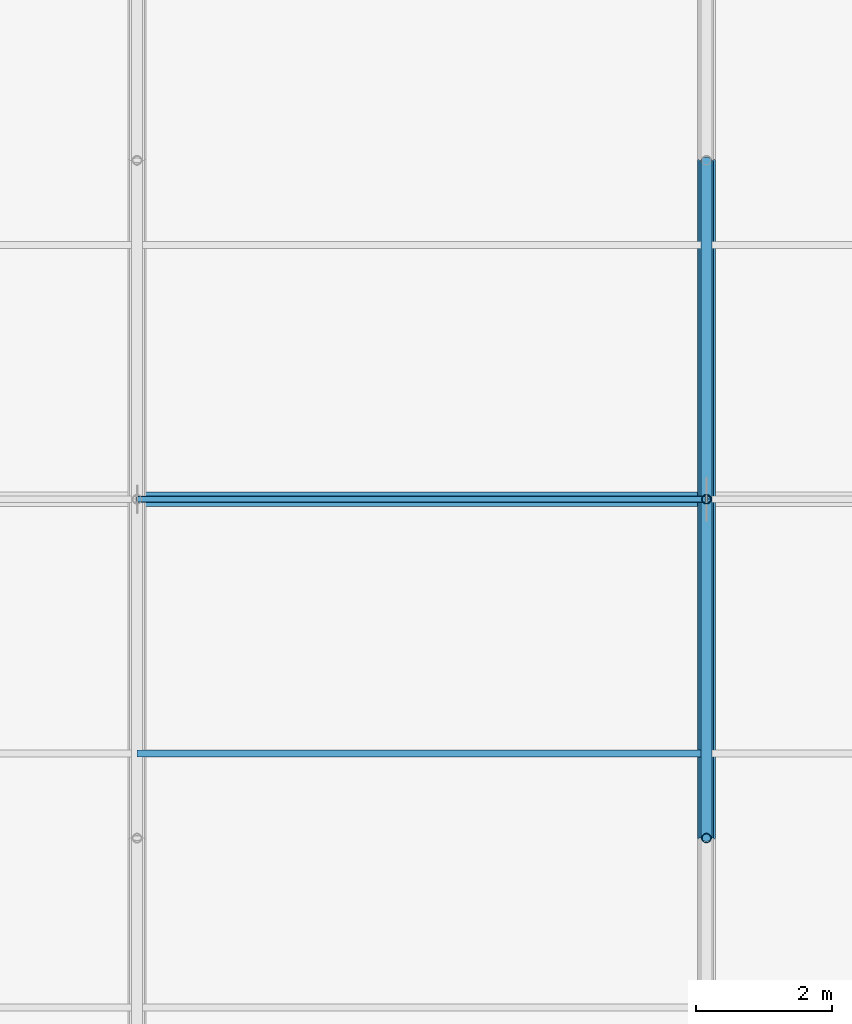
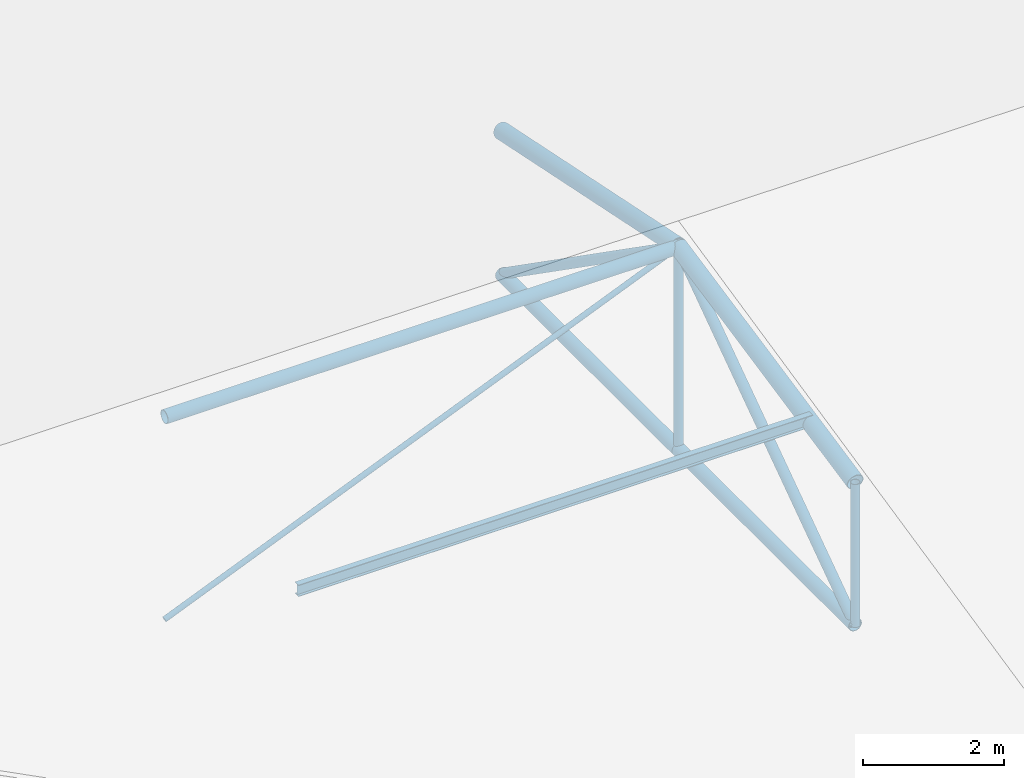
# One storey, part 23 of 194: 10 members, 1 beam.
"""IFC4 building model written with IfcOpenShell, lengths in metres."""

import ifcopenshell
import ifcopenshell.guid

model = None  # the IFC model being written
_history = None  # IfcOwnerHistory: only IFC2X3 demands one
_inside = {}  # id of a spatial element -> (the spatial element, [elements in it])
_under = {}  # id of a project, library or spatial element -> (it, [spatial elements below it])
_declared = {}  # id of a project -> (the project, [libraries it declares])
_typed = {}  # id of a type object -> (the type object, [elements of that type])
_made_of = {}  # id of a material, layer set ... -> (it, [elements and type objects made of it])


def new_model(schema):
    """Start an empty IFC model of exactly this schema.

    Asked for "IFC4X3", IfcOpenShell would pick the latest addendum, in which some entities
    have other attributes; the version numbers below select the first issue.
    IFC2X3 requires an IfcOwnerHistory on every rooted entity: one is made here for all.
    """
    global model, _history
    if schema == "IFC4X3":
        model = ifcopenshell.file(schema_version=(4, 3, 0, 0))
    else:
        model = ifcopenshell.file(schema=schema)
    _inside.clear()
    _under.clear()
    _declared.clear()
    _typed.clear()
    _made_of.clear()
    _history = None
    if model.schema == "IFC2X3":
        org = make("IfcOrganization", Name="unknown")
        user = make(
            "IfcPersonAndOrganization",
            ThePerson=make("IfcPerson", FamilyName="unknown"),
            TheOrganization=org,
        )
        app = make(
            "IfcApplication",
            ApplicationDeveloper=org,
            Version="unknown",
            ApplicationFullName="unknown",
            ApplicationIdentifier="unknown",
        )
        _history = make(
            "IfcOwnerHistory",
            OwningUser=user,
            OwningApplication=app,
            ChangeAction="ADDED",
            CreationDate=0,
        )
    return model


def make(cls, **values):
    """One entity of the class cls with the attributes given. An attribute that is None is left unset."""
    return model.create_entity(
        cls, **{name: value for name, value in values.items() if value is not None}
    )


def rooted(cls, **values):
    """An entity with a GlobalId (a new one), such as an element, a storey or a relation."""
    return make(cls, GlobalId=ifcopenshell.guid.new(), OwnerHistory=_history, **values)


def si_unit(unit_type, name, prefix=None):
    """IfcSIUnit, for example si_unit("LENGTHUNIT", "METRE", prefix="MILLI")."""
    return make("IfcSIUnit", UnitType=unit_type, Prefix=prefix, Name=name)


def assignment(units):
    """IfcUnitAssignment: the units of a project."""
    return None if units is None else make("IfcUnitAssignment", Units=units)


def point(xyz):
    """IfcCartesianPoint."""
    return None if xyz is None else make("IfcCartesianPoint", Coordinates=xyz)


def direction(xyz):
    """IfcDirection."""
    return None if xyz is None else make("IfcDirection", DirectionRatios=xyz)


def frame(location, z_axis=None, x_axis=None):
    """IfcAxis2Placement3D, a coordinate frame: its origin and axes. An axis left out is left unset."""
    return make(
        "IfcAxis2Placement3D",
        Location=point(location),
        Axis=direction(z_axis),
        RefDirection=direction(x_axis),
    )


def frame_2d(location, x_axis=None):
    """IfcAxis2Placement2D, a coordinate frame in the plane: its origin and x axis."""
    return make(
        "IfcAxis2Placement2D", Location=point(location), RefDirection=direction(x_axis)
    )


def origin():
    """The frame at (0, 0, 0) with its axes left unset."""
    return frame((0.0, 0.0, 0.0))


def origin_2d():
    """The frame at (0, 0) in the plane with its x axis left unset."""
    return frame_2d((0.0, 0.0))


def place(relative_to, where):
    """IfcLocalPlacement: puts the frame where relative to a parent placement (None: the world)."""
    return make(
        "IfcLocalPlacement", PlacementRelTo=relative_to, RelativePlacement=where
    )


def context(
    kind, dimensions, precision=None, world=None, true_north=None, identifier=None
):
    """IfcGeometricRepresentationContext, for example the 3D "Model" context."""
    return make(
        "IfcGeometricRepresentationContext",
        ContextIdentifier=identifier,
        ContextType=kind,
        CoordinateSpaceDimension=dimensions,
        Precision=precision,
        WorldCoordinateSystem=world,
        TrueNorth=true_north,
    )


def subcontext(parent, identifier, kind, view, scale=None):
    """IfcGeometricRepresentationSubContext, for example "Body" below "Model"."""
    return make(
        "IfcGeometricRepresentationSubContext",
        ContextIdentifier=identifier,
        ContextType=kind,
        ParentContext=parent,
        TargetScale=scale,
        TargetView=view,
    )


def project(units=None, contexts=None):
    """IfcProject with its units and contexts."""
    return rooted(
        "IfcProject",
        Name="project",
        RepresentationContexts=contexts,
        UnitsInContext=assignment(units),
    )


def spatial(cls, under=None, at=None, **own):
    """A site, building, storey or space (cls), placed at a placement, below another one or the project."""
    s = rooted(cls, ObjectPlacement=at, **own)
    if under is not None:
        _under.setdefault(under.id(), (under, []))[1].append(s)
    return s


def profile(cls, at=None, kind="AREA", **sizes):
    """A parametric profile (cls). Its sizes go by their IFC names, for example OverallWidth=200.0."""
    return make(cls, ProfileType=kind, Position=at, **sizes)


def hollow_circle(**sizes):
    """IfcCircleHollowProfileDef."""
    return profile("IfcCircleHollowProfileDef", **sizes)


def i_section(**sizes):
    """IfcIShapeProfileDef."""
    return profile("IfcIShapeProfileDef", **sizes)


def extrude(swept, where, along, depth):
    """IfcExtrudedAreaSolid: the profile swept, set in the frame where, extruded along a direction by depth."""
    return make(
        "IfcExtrudedAreaSolid",
        SweptArea=swept,
        Position=where,
        ExtrudedDirection=direction(along),
        Depth=depth,
    )


def shape(context_of_items, identifier, shape_type, items):
    """IfcShapeRepresentation: the items that make up one representation, for example the "Body"."""
    return make(
        "IfcShapeRepresentation",
        ContextOfItems=context_of_items,
        RepresentationIdentifier=identifier,
        RepresentationType=shape_type,
        Items=items,
    )


def material(Name=None, Category=None):
    """IfcMaterial."""
    return make("IfcMaterial", Name=Name, Category=Category)


def material_profile(
    of_material, cross_section, Name=None, Category=None, Priority=None
):
    """IfcMaterialProfile: a cross section and its material."""
    return make(
        "IfcMaterialProfile",
        Name=Name,
        Material=of_material,
        Profile=cross_section,
        Priority=Priority,
        Category=Category,
    )


def profile_set(profiles, Name=None, composite=None):
    """IfcMaterialProfileSet."""
    return make(
        "IfcMaterialProfileSet",
        Name=Name,
        MaterialProfiles=profiles,
        CompositeProfile=composite,
    )


def made_of(thing, what):
    """Note that an element or type object is made of a material, layer set ...; save() writes the relation."""
    if what is not None:
        _made_of.setdefault(what.id(), (what, []))[1].append(thing)
    return thing


def type_object(cls, material=None, **own):
    """A type object (cls), such as IfcWallType, which elements share."""
    return made_of(rooted(cls, **own), material)


def element(
    cls,
    number,
    at=None,
    inside=None,
    cuts=None,
    type_object=None,
    material=None,
    context=None,
    identifier="Body",
    shape_type=None,
    held_by="IfcProductDefinitionShape",
    body=None,
    shapes=None,
    **own,
):
    """One element of the class cls, such as IfcWall. Its Tag is "e" and its number.

    at: its placement. inside: the storey or other place that contains it. cuts: it is an
    opening in that element (IfcRelVoidsElement). A single representation is given by context,
    identifier, shape_type and body (its items); several are given by shapes. held_by: the class
    of the entity that holds the representations. save() writes the other relations.
    """
    e = rooted(cls, Tag="e%d" % number, ObjectPlacement=at, **own)
    if body is not None:
        shapes = [shape(context, identifier, shape_type, body)]
    if shapes is not None:
        e.Representation = make(held_by, Representations=shapes)
    if inside is not None:
        _inside.setdefault(inside.id(), (inside, []))[1].append(e)
    if cuts is not None:
        rooted(
            "IfcRelVoidsElement", RelatingBuildingElement=cuts, RelatedOpeningElement=e
        )
    if type_object is not None:
        _typed.setdefault(type_object.id(), (type_object, []))[1].append(e)
    return made_of(e, material)


def aggregate(whole, parts):
    """IfcRelAggregates: a whole, such as a stair, and the parts it consists of."""
    return rooted("IfcRelAggregates", RelatingObject=whole, RelatedObjects=parts)


def save(model, path):
    """Write the relations noted so far, then the file.

    IfcRelAggregates (storeys below a building ...), IfcRelContainedInSpatialStructure (elements
    in a storey), IfcRelDefinesByType, IfcRelAssociatesMaterial and IfcRelDeclares: one each for
    every whole, place, type object, material and project.
    """
    for whole, parts in _under.values():
        aggregate(whole, parts)
    for where, things in _inside.values():
        rooted(
            "IfcRelContainedInSpatialStructure",
            RelatedElements=things,
            RelatingStructure=where,
        )
    for kind, things in _typed.values():
        rooted("IfcRelDefinesByType", RelatedObjects=things, RelatingType=kind)
    for what, things in _made_of.values():
        rooted("IfcRelAssociatesMaterial", RelatedObjects=things, RelatingMaterial=what)
    for by, libraries in _declared.values():
        rooted("IfcRelDeclares", RelatingContext=by, RelatedDefinitions=libraries)
    model.write(path)


model = new_model("IFC4")

# Units and contexts
model_context = context("Model", 3, precision=1e-05, world=origin(), true_north=direction((0.0, 1.0)))
body_context = subcontext(model_context, "Body", "Model", "MODEL_VIEW")
ifc_project = project(units=[si_unit("LENGTHUNIT", "METRE"), si_unit("AREAUNIT", "SQUARE_METRE"), si_unit("VOLUMEUNIT", "CUBIC_METRE"), si_unit("PLANEANGLEUNIT", "RADIAN"), si_unit("MASSUNIT", "GRAM", prefix="KILO")], contexts=[model_context])

# Site, building, storey
site_placement = place(None, origin())
site = spatial("IfcSite", under=ifc_project, at=site_placement, CompositionType="ELEMENT")
building_placement = place(site_placement, origin())
building = spatial("IfcBuilding", under=site, at=building_placement, Name="Kazenagashi Tramway Depot", CompositionType="ELEMENT")
storey_placement = place(building_placement, frame((0.0, 0.0, 23.7)))
storey = spatial("IfcBuildingStorey", under=building, at=storey_placement, Name="ROOF", CompositionType="ELEMENT", Elevation=23.7)

# Beam
ifc_material_1 = material(Name="Steel SN400B", Category="steel")
ifc_material_profile_1 = material_profile(ifc_material_1, i_section(OverallWidth=0.1, OverallDepth=0.2, WebThickness=0.0055, FlangeThickness=0.008, at=origin_2d()), Name="H-200x100x5.5x8")
ifc_profile_set_1 = profile_set([ifc_material_profile_1], Name="Steel SN400B")
beam_type = type_object("IfcBeamType", Name="PR-01", PredefinedType="USERDEFINED", material=ifc_profile_set_1)
beam_placement = place(storey_placement, frame((61.6, 81.25, -11.305), z_axis=(1.0, 0.0, 0.0), x_axis=(0.0, 1.0, 0.0)))
element("IfcBeam", 1, at=beam_placement, inside=storey, type_object=beam_type, Name="Beam PR-01 BM-2056", ObjectType="PURLIN", PredefinedType="USERDEFINED", context=body_context, shape_type="SweptSolid", body=[
    extrude(i_section(OverallWidth=0.1, OverallDepth=0.2, WebThickness=0.0055, FlangeThickness=0.008, at=origin_2d()), origin(), (0.0, 0.0, 1.0), 8.4),
])

# Members
ifc_material_2 = material(Name="Steel STK490", Category="steel")
ifc_material_profile_2 = material_profile(ifc_material_2, hollow_circle(Radius=0.1337, WallThickness=0.0093, at=origin_2d()), Name="CHS-267.4x9.3")
ifc_profile_set_2 = profile_set([ifc_material_profile_2], Name="Steel STK490")
member_type_1 = type_object("IfcMemberType", Name="TC-01", PredefinedType="CHORD", material=ifc_profile_set_2)
for number, where, z_axis, x_axis, name in (
    (2, (70.0, 80.0, -11.633), (0.0, 0.979317999984, 0.202327098797), (-1.0, 0.0, 0.0), "Tubular Space Frame TC-01 MEM-0190"),
    (3, (70.0, 85.0, -10.6), (0.0, 0.979317999984, -0.202327098797), (-1.0, 0.0, 0.0), "Tubular Space Frame TC-01 MEM-0193"),
):
    element("IfcMember", number, at=place(storey_placement, frame(where, z_axis=z_axis, x_axis=x_axis)), inside=storey, type_object=member_type_1, Name=name, PredefinedType="CHORD", context=body_context, shape_type="SweptSolid", body=[
        extrude(hollow_circle(Radius=0.1337, WallThickness=0.0093, at=origin_2d()), origin(), (0.0, 0.0, 1.0), 5.105594),
    ])
ifc_material_profile_3 = material_profile(ifc_material_2, hollow_circle(Radius=0.10815, WallThickness=0.0082, at=origin_2d()), Name="CHS-216.3x8.2")
ifc_profile_set_3 = profile_set([ifc_material_profile_3], Name="Steel STK490")
member_type_2 = type_object("IfcMemberType", Name="TC-02", PredefinedType="CHORD", material=ifc_profile_set_3)
member_1_placement = place(storey_placement, frame((61.6, 85.0, -10.6), z_axis=(1.0, 0.0, 0.0), x_axis=(0.0, 1.0, 0.0)))
element("IfcMember", 4, at=member_1_placement, inside=storey, type_object=member_type_2, Name="Tubular Space Frame TC-02 MEM-0150", PredefinedType="CHORD", context=body_context, shape_type="SweptSolid", body=[
    extrude(hollow_circle(Radius=0.10815, WallThickness=0.0082, at=origin_2d()), origin(), (0.0, 0.0, 1.0), 8.4),
])
for number, where, z_axis, x_axis, name in (
    (5, (70.0, 80.0, -14.1), (0.0, 1.0, 0.0), (-1.0, 0.0, 0.0), "Tubular Space Frame TC-02 MEM-0191"),
    (6, (70.0, 85.0, -14.1), (0.0, 1.0, 0.0), (-1.0, 0.0, 0.0), "Tubular Space Frame TC-02 MEM-0194"),
):
    element("IfcMember", number, at=place(storey_placement, frame(where, z_axis=z_axis, x_axis=x_axis)), inside=storey, type_object=member_type_2, Name=name, PredefinedType="CHORD", context=body_context, shape_type="SweptSolid", body=[
        extrude(hollow_circle(Radius=0.10815, WallThickness=0.0082, at=origin_2d()), origin(), (0.0, 0.0, 1.0), 5.0),
    ])
ifc_material_profile_4 = material_profile(ifc_material_2, hollow_circle(Radius=0.0826, WallThickness=0.0071, at=origin_2d()), Name="CHS-165.2x7.1")
ifc_profile_set_4 = profile_set([ifc_material_profile_4], Name="Steel STK490")
member_type_3 = type_object("IfcMemberType", Name="TS-01", PredefinedType="STRUT", material=ifc_profile_set_4)
for number, where, z_axis, x_axis, name in (
    (7, (70.0, 80.0, -14.1), (0.0, 0.819231920519, 0.573462344363), (-1.0, 0.0, 0.0), "Tubular Space Frame TS-01 MEM-0192"),
    (8, (70.0, 85.0, -10.6), (0.0, 0.819231920519, -0.573462344363), (-1.0, 0.0, 0.0), "Tubular Space Frame TS-01 MEM-0195"),
):
    element("IfcMember", number, at=place(storey_placement, frame(where, z_axis=z_axis, x_axis=x_axis)), inside=storey, type_object=member_type_3, Name=name, PredefinedType="STRUT", context=body_context, shape_type="SweptSolid", body=[
        extrude(hollow_circle(Radius=0.0826, WallThickness=0.0071, at=origin_2d()), origin(), (0.0, 0.0, 1.0), 6.103278),
    ])
ifc_material_profile_5 = material_profile(ifc_material_2, hollow_circle(Radius=0.0699, WallThickness=0.0066, at=origin_2d()), Name="CHS-139.8x6.6")
ifc_profile_set_5 = profile_set([ifc_material_profile_5], Name="Steel STK490")
member_type_4 = type_object("IfcMemberType", Name="TS-02", PredefinedType="STRUT", material=ifc_profile_set_5)
member_2_placement = place(storey_placement, frame((70.0, 80.0, -14.1), z_axis=(0.0, 0.0, 1.0), x_axis=(1.0, 0.0, 0.0)))
element("IfcMember", 9, at=member_2_placement, inside=storey, type_object=member_type_4, Name="Tubular Space Frame TS-02 MEM-0204", PredefinedType="STRUT", context=body_context, shape_type="SweptSolid", body=[
    extrude(hollow_circle(Radius=0.0699, WallThickness=0.0066, at=origin_2d()), origin(), (0.0, 0.0, 1.0), 2.467),
])
member_3_placement = place(storey_placement, frame((70.0, 85.0, -14.1), z_axis=(0.0, 0.0, 1.0), x_axis=(1.0, 0.0, 0.0)))
element("IfcMember", 10, at=member_3_placement, inside=storey, type_object=member_type_4, Name="Tubular Space Frame TS-02 MEM-0205", PredefinedType="STRUT", context=body_context, shape_type="SweptSolid", body=[
    extrude(hollow_circle(Radius=0.0699, WallThickness=0.0066, at=origin_2d()), origin(), (0.0, 0.0, 1.0), 3.5),
])
ifc_material_3 = material(Name="Steel STK400", Category="steel")
ifc_material_profile_6 = material_profile(ifc_material_3, hollow_circle(Radius=0.04455, WallThickness=0.0042, at=origin_2d()), Name="CHS-89.1x4.2")
ifc_profile_set_6 = profile_set([ifc_material_profile_6], Name="Steel STK400")
member_type_5 = type_object("IfcMemberType", Name="TS-04", PredefinedType="STRUT", material=ifc_profile_set_6)
member_4_placement = place(storey_placement, frame((61.6, 85.0, -14.1), z_axis=(0.923076923077, 0.0, 0.384615384615), x_axis=(0.0, 1.0, 0.0)))
element("IfcMember", 11, at=member_4_placement, inside=storey, type_object=member_type_5, Name="Tubular Space Frame TS-04 MEM-0151", PredefinedType="STRUT", context=body_context, shape_type="SweptSolid", body=[
    extrude(hollow_circle(Radius=0.04455, WallThickness=0.0042, at=origin_2d()), origin(), (0.0, 0.0, 1.0), 9.1),
])

save(model, "model.ifc")
